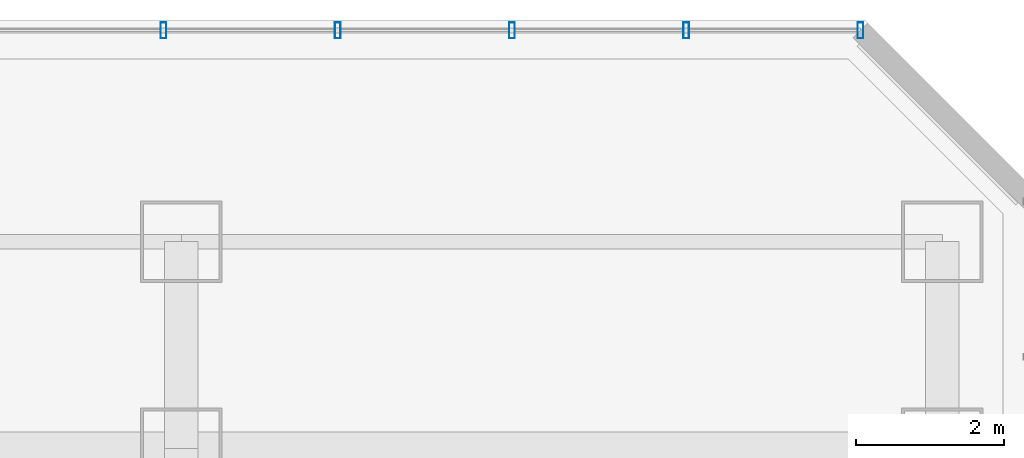
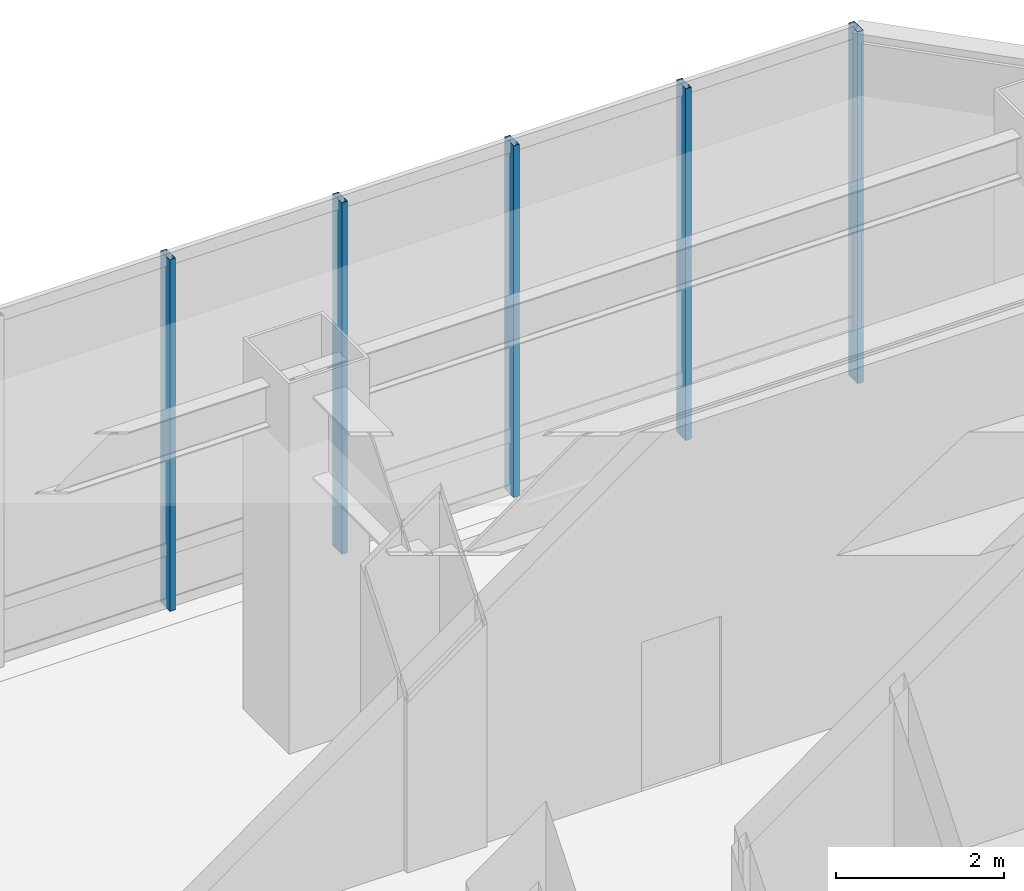
# One storey, part 22 of 35: 5 members, 1 element without a shape of its own.
"""IFC4 building model written with IfcOpenShell, lengths in metres."""

from ifc_helpers import new_model, si_unit, direction, frame, origin, origin_2d, place, context, subcontext, project, spatial, hollow_rectangle, extrude, material, layer, layer_set, material_profile, profile_set, type_object, element, aggregate, save


model = new_model("IFC4")

# Units and contexts
model_context = context("Model", 3, precision=1e-05, world=origin(), true_north=direction((0.0, 1.0)))
body_context = subcontext(model_context, "Body", "Model", "MODEL_VIEW")
ifc_project = project(units=[si_unit("LENGTHUNIT", "METRE"), si_unit("AREAUNIT", "SQUARE_METRE"), si_unit("VOLUMEUNIT", "CUBIC_METRE"), si_unit("PLANEANGLEUNIT", "RADIAN"), si_unit("MASSUNIT", "GRAM", prefix="KILO")], contexts=[model_context])

# Site, building, storey
site_placement = place(None, origin())
site = spatial("IfcSite", under=ifc_project, at=site_placement, CompositionType="ELEMENT")
building_placement = place(site_placement, origin())
building = spatial("IfcBuilding", under=site, at=building_placement, Name="Hatsunagi Terrace Concourse", CompositionType="ELEMENT")
storey_placement = place(building_placement, frame((0.0, 0.0, 5.39990234375)))
storey = spatial("IfcBuildingStorey", under=building, at=storey_placement, Name="L02", CompositionType="ELEMENT", Elevation=5.39990234375)

# Curtain wall, members
ifc_material_1 = material(Name="Anodised Aluminium Alloy 6063-T5", Category="aluminium")
ifc_layer = layer(ifc_material_1, 0.199951171875)
ifc_layer_set = layer_set([ifc_layer], Name="PodiumStorefront_CW01")
curtain_wall_type = type_object("IfcCurtainWallType", Name="PodiumStorefront_CW01", PredefinedType="NOTDEFINED", material=ifc_layer_set)
curtain_wall_placement = place(storey_placement, origin())
curtain_wall = element("IfcCurtainWall", 1, at=curtain_wall_placement, inside=storey, type_object=curtain_wall_type, Name="Unitised Curtain Wall CW-01 CW-L02-12", PredefinedType="NOTDEFINED")
ifc_material_2 = material(Name="Anodised Aluminium Alloy 6063-T5", Category="aluminium")
ifc_material_profile = material_profile(ifc_material_2, hollow_rectangle(XDim=0.080078125, YDim=0.219970703125, WallThickness=0.0048828125, at=origin_2d()), Name="ALU-MUL-220x80x5")
ifc_profile_set = profile_set([ifc_material_profile], Name="Anodised Aluminium Alloy 6063-T5")
member_type = type_object("IfcMemberType", Name="CurtainWallMullion_Heavy_220x80", PredefinedType="MULLION", material=ifc_profile_set)
member_1_placement = place(storey_placement, frame((33.110107421875, 51.4599609375, 0.0), z_axis=(0.0, 0.0, 1.0), x_axis=(1.0, 0.0, 0.0)))
member_1 = element("IfcMember", 2, at=member_1_placement, type_object=member_type, Name="Curtain Wall Mullion MUL-01", PredefinedType="MULLION", context=body_context, shape_type="SweptSolid", body=[
    extrude(hollow_rectangle(XDim=0.080078125, YDim=0.219970703125, WallThickness=0.0048828125, at=origin_2d()), origin(), (0.0, 0.0, 1.0), 5.10009765625),
])
member_2_placement = place(storey_placement, frame((35.468017578125, 51.4599609375, 0.0), z_axis=(0.0, 0.0, 1.0), x_axis=(1.0, 0.0, 0.0)))
member_2 = element("IfcMember", 3, at=member_2_placement, type_object=member_type, Name="Curtain Wall Mullion MUL-01", PredefinedType="MULLION", context=body_context, shape_type="SweptSolid", body=[
    extrude(hollow_rectangle(XDim=0.080078125, YDim=0.219970703125, WallThickness=0.0048828125, at=origin_2d()), origin(), (0.0, 0.0, 1.0), 5.10009765625),
])
member_3_placement = place(storey_placement, frame((37.825927734375, 51.4599609375, 0.0), z_axis=(0.0, 0.0, 1.0), x_axis=(1.0, 0.0, 0.0)))
member_3 = element("IfcMember", 4, at=member_3_placement, type_object=member_type, Name="Curtain Wall Mullion MUL-01", PredefinedType="MULLION", context=body_context, shape_type="SweptSolid", body=[
    extrude(hollow_rectangle(XDim=0.080078125, YDim=0.219970703125, WallThickness=0.0048828125, at=origin_2d()), origin(), (0.0, 0.0, 1.0), 5.10009765625),
])
member_4_placement = place(storey_placement, frame((40.18408203125, 51.4599609375, 0.0), z_axis=(0.0, 0.0, 1.0), x_axis=(1.0, 0.0, 0.0)))
member_4 = element("IfcMember", 5, at=member_4_placement, type_object=member_type, Name="Curtain Wall Mullion MUL-01", PredefinedType="MULLION", context=body_context, shape_type="SweptSolid", body=[
    extrude(hollow_rectangle(XDim=0.080078125, YDim=0.219970703125, WallThickness=0.0048828125, at=origin_2d()), origin(), (0.0, 0.0, 1.0), 5.10009765625),
])
member_5_placement = place(storey_placement, frame((42.5419921875, 51.4599609375, 0.0), z_axis=(0.0, 0.0, 1.0), x_axis=(1.0, 0.0, 0.0)))
member_5 = element("IfcMember", 6, at=member_5_placement, type_object=member_type, Name="Curtain Wall Mullion MUL-01", PredefinedType="MULLION", context=body_context, shape_type="SweptSolid", body=[
    extrude(hollow_rectangle(XDim=0.080078125, YDim=0.219970703125, WallThickness=0.0048828125, at=origin_2d()), origin(), (0.0, 0.0, 1.0), 5.10009765625),
])
aggregate(curtain_wall, [member_1, member_2, member_3, member_4, member_5])

save(model, "model.ifc")
